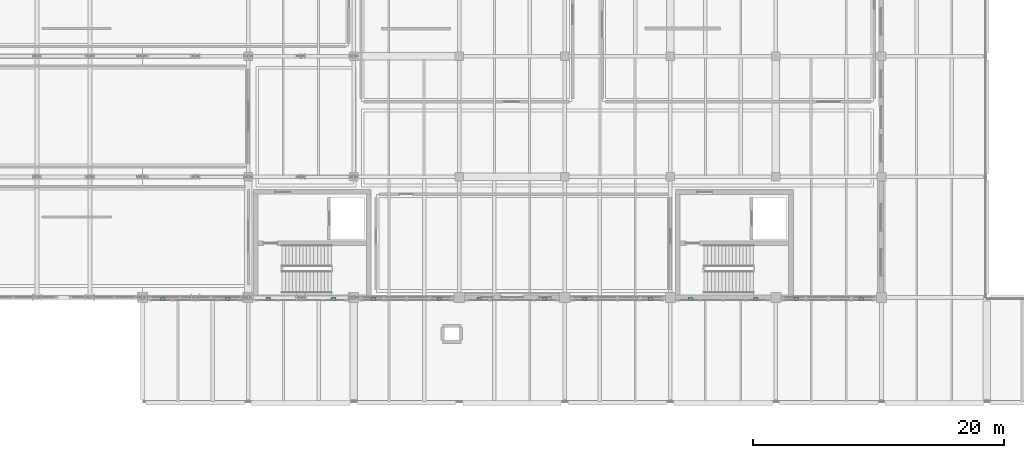
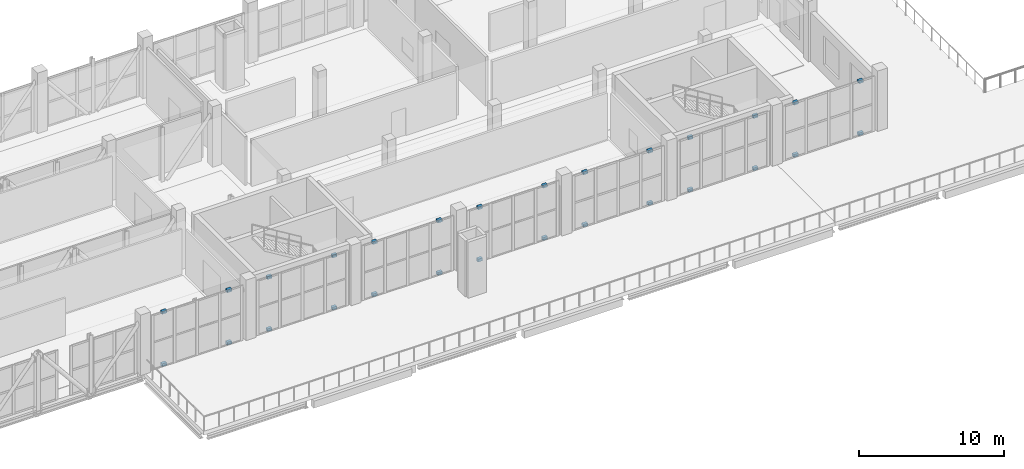
# One storey, part 67 of 77: 28 discrete accessories.
"""IFC4 building model written with IfcOpenShell, lengths in metres."""

from ifc_helpers import new_model, si_unit, direction, frame, origin, origin_2d, place, context, subcontext, project, spatial, rectangle, extrude, material, type_object, element, save


model = new_model("IFC4")

# Units and contexts
model_context = context("Model", 3, precision=1e-05, world=origin(), true_north=direction((0.0, 1.0)))
body_context = subcontext(model_context, "Body", "Model", "MODEL_VIEW")
ifc_project = project(units=[si_unit("LENGTHUNIT", "METRE"), si_unit("AREAUNIT", "SQUARE_METRE"), si_unit("VOLUMEUNIT", "CUBIC_METRE"), si_unit("PLANEANGLEUNIT", "RADIAN"), si_unit("MASSUNIT", "GRAM", prefix="KILO")], contexts=[model_context])

# Site, building, storey
site_placement = place(None, origin())
site = spatial("IfcSite", under=ifc_project, at=site_placement, CompositionType="ELEMENT")
building_placement = place(site_placement, origin())
building = spatial("IfcBuilding", under=site, at=building_placement, Name="Zulmaris Art Gallery", CompositionType="ELEMENT")
storey_placement = place(building_placement, frame((0.0, 0.0, 15.60009765625)))
storey = spatial("IfcBuildingStorey", under=building, at=storey_placement, Name="L03", CompositionType="ELEMENT", Elevation=15.60009765625)

# Discrete accessories
ifc_material = material(Name="Steel S355J2", Category="steel")
discrete_accessory_type = type_object("IfcDiscreteAccessoryType", Name="ACC-BRK01", PredefinedType="BRACKET", material=ifc_material)
for number, where, z_axis, x_axis, name in (
    (1, (25.60791015625, 21.489990234375, 0.0), (0.0, 0.0, 1.0), (1.0, 0.0, 0.0), "CW-L03-171 structural support bracket 1-1"),
    (2, (25.60791015625, 21.489990234375, 4.40966796875), (0.0, 0.0, 1.0), (1.0, 0.0, 0.0), "CW-L03-171 structural support bracket 1-2"),
    (3, (30.7919921875, 21.489990234375, 0.0), (0.0, 0.0, 1.0), (1.0, 0.0, 0.0), "CW-L03-171 structural support bracket 2-1"),
    (4, (30.7919921875, 21.489990234375, 4.40966796875), (0.0, 0.0, 1.0), (1.0, 0.0, 0.0), "CW-L03-171 structural support bracket 2-2"),
    (5, (34.008056640625, 21.489990234375, 0.0), (0.0, 0.0, 1.0), (1.0, 0.0, 0.0), "CW-L03-172 structural support bracket 1-1"),
    (6, (34.008056640625, 21.489990234375, 4.40966796875), (0.0, 0.0, 1.0), (1.0, 0.0, 0.0), "CW-L03-172 structural support bracket 1-2"),
    (7, (39.19189453125, 21.489990234375, 0.0), (0.0, 0.0, 1.0), (1.0, 0.0, 0.0), "CW-L03-172 structural support bracket 2-1"),
    (8, (39.19189453125, 21.489990234375, 4.40966796875), (0.0, 0.0, 1.0), (1.0, 0.0, 0.0), "CW-L03-172 structural support bracket 2-2"),
    (9, (42.407958984375, 21.489990234375, 0.0), (0.0, 0.0, 1.0), (1.0, 0.0, 0.0), "CW-L03-173 structural support bracket 1-1"),
    (10, (42.407958984375, 21.489990234375, 4.40966796875), (0.0, 0.0, 1.0), (1.0, 0.0, 0.0), "CW-L03-173 structural support bracket 1-2"),
    (11, (47.592041015625, 21.489990234375, 0.0), (0.0, 0.0, 1.0), (1.0, 0.0, 0.0), "CW-L03-173 structural support bracket 2-1"),
    (12, (47.592041015625, 21.489990234375, 4.40966796875), (0.0, 0.0, 1.0), (1.0, 0.0, 0.0), "CW-L03-173 structural support bracket 2-2"),
    (13, (50.80810546875, 21.489990234375, 0.0), (0.0, 0.0, 1.0), (1.0, 0.0, 0.0), "CW-L03-174 structural support bracket 1-1"),
    (14, (50.80810546875, 21.489990234375, 4.40966796875), (0.0, 0.0, 1.0), (1.0, 0.0, 0.0), "CW-L03-174 structural support bracket 1-2"),
    (15, (55.991943359375, 21.489990234375, 0.0), (0.0, 0.0, 1.0), (1.0, 0.0, 0.0), "CW-L03-174 structural support bracket 2-1"),
    (16, (55.991943359375, 21.489990234375, 4.40966796875), (0.0, 0.0, 1.0), (1.0, 0.0, 0.0), "CW-L03-174 structural support bracket 2-2"),
    (17, (59.2080078125, 21.489990234375, 0.0), (0.0, 0.0, 1.0), (1.0, 0.0, 0.0), "CW-L03-175 structural support bracket 1-1"),
    (18, (59.2080078125, 21.489990234375, 4.40966796875), (0.0, 0.0, 1.0), (1.0, 0.0, 0.0), "CW-L03-175 structural support bracket 1-2"),
    (19, (64.39208984375, 21.489990234375, 0.0), (0.0, 0.0, 1.0), (1.0, 0.0, 0.0), "CW-L03-175 structural support bracket 2-1"),
    (20, (64.39208984375, 21.489990234375, 4.40966796875), (0.0, 0.0, 1.0), (1.0, 0.0, 0.0), "CW-L03-175 structural support bracket 2-2"),
    (21, (67.60791015625, 21.489990234375, 0.0), (0.0, 0.0, 1.0), (1.0, 0.0, 0.0), "CW-L03-176 structural support bracket 1-1"),
    (22, (67.60791015625, 21.489990234375, 4.40966796875), (0.0, 0.0, 1.0), (1.0, 0.0, 0.0), "CW-L03-176 structural support bracket 1-2"),
    (23, (72.7919921875, 21.489990234375, 0.0), (0.0, 0.0, 1.0), (1.0, 0.0, 0.0), "CW-L03-176 structural support bracket 2-1"),
    (24, (72.7919921875, 21.489990234375, 4.40966796875), (0.0, 0.0, 1.0), (1.0, 0.0, 0.0), "CW-L03-176 structural support bracket 2-2"),
    (25, (76.008056640625, 21.489990234375, 0.0), (0.0, 0.0, 1.0), (1.0, 0.0, 0.0), "CW-L03-177 structural support bracket 1-1"),
    (26, (76.008056640625, 21.489990234375, 4.40966796875), (0.0, 0.0, 1.0), (1.0, 0.0, 0.0), "CW-L03-177 structural support bracket 1-2"),
    (27, (81.19189453125, 21.489990234375, 0.0), (0.0, 0.0, 1.0), (1.0, 0.0, 0.0), "CW-L03-177 structural support bracket 2-1"),
    (28, (81.19189453125, 21.489990234375, 4.40966796875), (0.0, 0.0, 1.0), (1.0, 0.0, 0.0), "CW-L03-177 structural support bracket 2-2"),
):
    element("IfcDiscreteAccessory", number, at=place(storey_placement, frame(where, z_axis=z_axis, x_axis=x_axis)), inside=storey, type_object=discrete_accessory_type, Name=name, PredefinedType="BRACKET", context=body_context, shape_type="SweptSolid", body=[
        extrude(rectangle(XDim=0.360107421875, YDim=0.239990234375, at=origin_2d()), origin(), (0.0, 0.0, 1.0), 0.239990234375),
    ])

save(model, "model.ifc")
